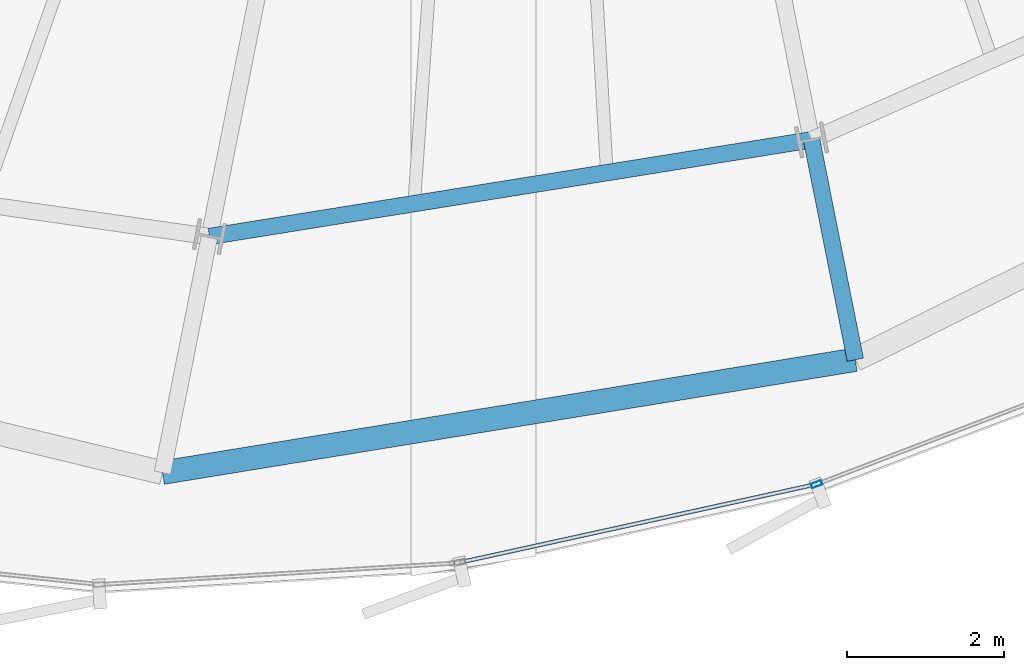
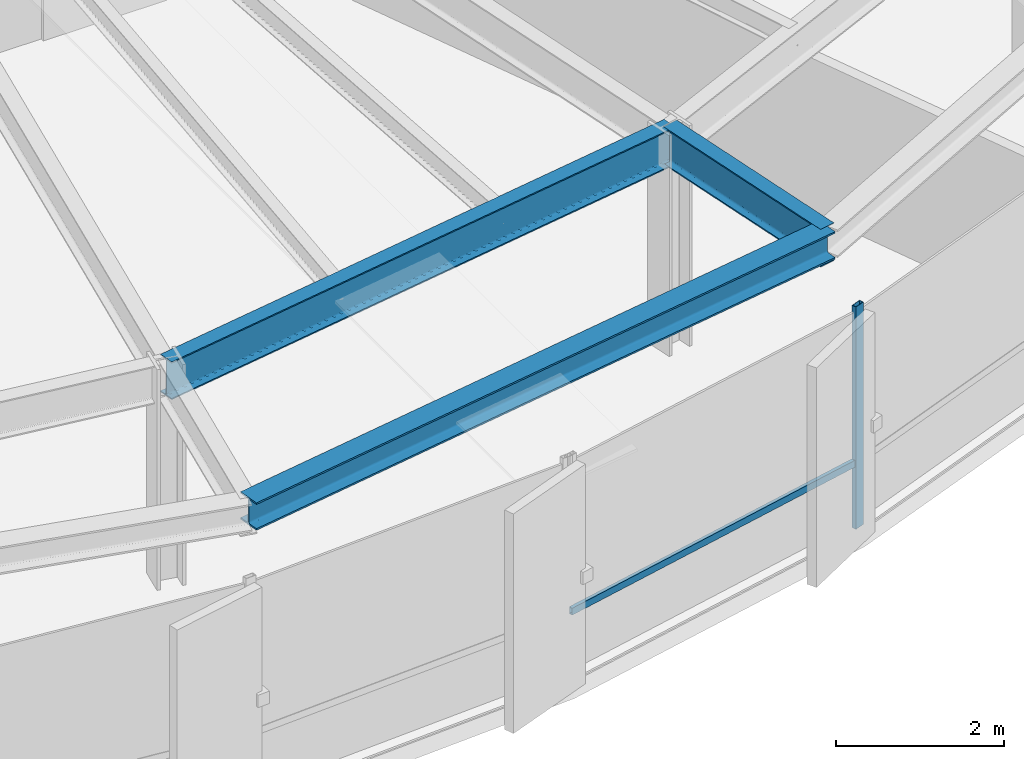
# One storey, part 7 of 35: 3 beams, 2 members, 1 element without a shape of its own.
"""IFC4 building model written with IfcOpenShell, lengths in metres."""

from ifc_helpers import new_model, si_unit, direction, frame, origin, origin_2d, place, context, subcontext, project, spatial, hollow_rectangle, i_section, extrude, source, transform, mapped, material, layer, layer_set, material_profile, profile_set, type_object, element, aggregate, save


model = new_model("IFC4")

# Units and contexts
model_context = context("Model", 3, precision=1e-05, world=origin(), true_north=direction((0.0, 1.0)))
body_context = subcontext(model_context, "Body", "Model", "MODEL_VIEW")
ifc_project = project(units=[si_unit("LENGTHUNIT", "METRE"), si_unit("AREAUNIT", "SQUARE_METRE"), si_unit("VOLUMEUNIT", "CUBIC_METRE"), si_unit("PLANEANGLEUNIT", "RADIAN"), si_unit("MASSUNIT", "GRAM", prefix="KILO"), si_unit("THERMODYNAMICTEMPERATUREUNIT", "KELVIN")], contexts=[model_context])

# Site, building, storey
site_placement = place(None, origin())
site = spatial("IfcSite", under=ifc_project, at=site_placement, CompositionType="ELEMENT")
building_placement = place(site_placement, origin())
building = spatial("IfcBuilding", under=site, at=building_placement, Name="Kethvar Cultural Tower", CompositionType="ELEMENT")
storey_placement = place(building_placement, frame((0.0, 0.0, 167.85009765625)))
storey = spatial("IfcBuildingStorey", under=building, at=storey_placement, Name="L43", CompositionType="ELEMENT", Elevation=167.85009765625)

# Beams
ifc_material_1 = material(Name="Steel S355J2", Category="steel")
ifc_material_profile_1 = material_profile(ifc_material_1, i_section(OverallWidth=0.2099609375, OverallDepth=0.550048828125, WebThickness=0.010986328125, FlangeThickness=0.01708984375, FilletRadius=0.02392578125, at=origin_2d()), Name="Steel S355J2 — IPE550")
ifc_profile_set_1 = profile_set([ifc_material_profile_1], Name="Steel S355J2 — IPE550")
beam_type_1 = type_object("IfcBeamType", Name="BM-IPE550", PredefinedType="BEAM", material=ifc_profile_set_1)
shared_shape_1 = source(origin(), body_context, "Body", "SweptSolid", [
    extrude(i_section(OverallWidth=0.2099609375, OverallDepth=0.550048828125, WebThickness=0.010986328125, FlangeThickness=0.01708984375, FilletRadius=0.02392578125, at=origin_2d()), origin(), (0.0, 0.0, 1.0), 7.749267578125),
])
beam_1_placement = place(storey_placement, frame((42.852294921875, 7.95361328125, 2.962890625), z_axis=(0.987348257569, 0.158566762831, 0.0), x_axis=(-0.158566762831, 0.987348257569, 0.0)))
element("IfcBeam", 1, at=beam_1_placement, inside=storey, type_object=beam_type_1, Name="L43 Column Ring Tie Beam CR-12", PredefinedType="BEAM", context=body_context, shape_type="MappedRepresentation", body=[
    mapped(shared_shape_1, transform((0.0, 0.0, 0.0), scale=1.0)),
])
shared_shape_2 = source(origin(), body_context, "Body", "SweptSolid", [
    extrude(i_section(OverallWidth=0.2099609375, OverallDepth=0.550048828125, WebThickness=0.010986328125, FlangeThickness=0.01708984375, FilletRadius=0.02392578125, at=origin_2d()), origin(), (0.0, 0.0, 1.0), 2.849365234375),
])
beam_2_placement = place(storey_placement, frame((50.50341796875, 9.182373046875, 2.962890625), z_axis=(0.195012032362, -0.980800849935, 0.0), x_axis=(0.980800849935, 0.195012032362, 0.0)))
element("IfcBeam", 2, at=beam_2_placement, inside=storey, type_object=beam_type_1, Name="L43 Perimeter Cantilever Beam RC-13", PredefinedType="BEAM", context=body_context, shape_type="MappedRepresentation", body=[
    mapped(shared_shape_2, transform((0.0, 0.0, 0.0), scale=1.0)),
])
ifc_material_profile_2 = material_profile(ifc_material_1, i_section(OverallWidth=0.300048828125, OverallDepth=0.39990234375, WebThickness=0.013427734375, FlangeThickness=0.02392578125, FilletRadius=0.027099609375, at=origin_2d()), Name="Steel S355J2 — HEB400")
ifc_profile_set_2 = profile_set([ifc_material_profile_2], Name="Steel S355J2 — HEB400")
beam_type_2 = type_object("IfcBeamType", Name="BM-SP400", PredefinedType="SPANDREL", material=ifc_profile_set_2)
shared_shape_3 = source(origin(), body_context, "Body", "SweptSolid", [
    extrude(i_section(OverallWidth=0.300048828125, OverallDepth=0.39990234375, WebThickness=0.013427734375, FlangeThickness=0.02392578125, FilletRadius=0.027099609375, at=origin_2d()), origin(), (0.0, 0.0, 1.0), 8.919921875),
])
beam_3_placement = place(storey_placement, frame((42.25537109375, 4.952880859375, 3.037841796875), z_axis=(0.986977878528, 0.160856045261, 0.0), x_axis=(-0.160856045261, 0.986977878528, 0.0)))
element("IfcBeam", 3, at=beam_3_placement, inside=storey, type_object=beam_type_2, Name="L43 Perimeter Spandrel Beam SP-12", PredefinedType="SPANDREL", context=body_context, shape_type="MappedRepresentation", body=[
    mapped(shared_shape_3, transform((0.0, 0.0, 0.0), scale=1.0)),
])

# Curtain wall, members
ifc_material_2 = material(Name="Aluminium 6063-T6", Category="aluminium")
ifc_layer = layer(ifc_material_2, 0.179931640625, Name="Aluminium 6063-T6", Category="aluminium")
ifc_layer_set = layer_set([ifc_layer], Name="Aluminium 6063-T6 (180 mm)")
curtain_wall_type = type_object("IfcCurtainWallType", Name="CW-SYS-04-Z34", PredefinedType="NOTDEFINED", material=ifc_layer_set)
curtain_wall_placement = place(storey_placement, origin())
curtain_wall = element("IfcCurtainWall", 4, at=curtain_wall_placement, inside=storey, type_object=curtain_wall_type, Name="L43 Curtain Wall Run 05", PredefinedType="NOTDEFINED")
ifc_material_profile_3 = material_profile(ifc_material_2, hollow_rectangle(XDim=0.06005859375, YDim=0.139892578125, WallThickness=0.0048828125, at=origin_2d()), Name="Aluminium 6063-T6 — RHS140x60x5")
ifc_profile_set_3 = profile_set([ifc_material_profile_3], Name="Aluminium 6063-T6 — RHS140x60x5")
member_type_1 = type_object("IfcMemberType", Name="CW-SYS-04-Z34-MUL", PredefinedType="MULLION", material=ifc_profile_set_3)
shared_shape_4 = source(origin(), body_context, "Body", "SweptSolid", [
    extrude(hollow_rectangle(XDim=0.06005859375, YDim=0.139892578125, WallThickness=0.0048828125, at=origin_2d()), origin(), (0.0, 0.0, 1.0), 3.239990234375),
])
member_1_placement = place(storey_placement, frame((50.567626953125, 4.805908203125, 0.0), z_axis=(0.0, 0.0, 1.0), x_axis=(-0.356917347128, 0.934135968325, 0.0)))
member_1 = element("IfcMember", 5, at=member_1_placement, type_object=member_type_1, Name="CW-L43-R05 Mullion 2", PredefinedType="MULLION", context=body_context, shape_type="MappedRepresentation", body=[
    mapped(shared_shape_4, transform((0.0, 0.0, 0.0), scale=1.0)),
])
ifc_material_profile_4 = material_profile(ifc_material_2, hollow_rectangle(XDim=0.050048828125, YDim=0.10009765625, WallThickness=0.00390625, at=origin_2d()), Name="Aluminium 6063-T6 — RHS100x50x4")
ifc_profile_set_4 = profile_set([ifc_material_profile_4], Name="Aluminium 6063-T6 — RHS100x50x4")
member_type_2 = type_object("IfcMemberType", Name="CW-SYS-04-Z34-TRN", PredefinedType="USERDEFINED", material=ifc_profile_set_4)
shared_shape_5 = source(origin(), body_context, "Body", "SweptSolid", [
    extrude(hollow_rectangle(XDim=0.050048828125, YDim=0.10009765625, WallThickness=0.00390625, at=origin_2d()), origin(), (0.0, 0.0, 1.0), 4.61083984375),
])
member_2_placement = place(storey_placement, frame((46.037353515625, 3.8125, 0.949951171875), z_axis=(0.97673704043, 0.214440560185, 0.0), x_axis=(-0.214440560185, 0.97673704043, 0.0)))
member_2 = element("IfcMember", 6, at=member_2_placement, type_object=member_type_2, Name="CW-L43-R05 Transom 1", ObjectType="TRANSOM", PredefinedType="USERDEFINED", context=body_context, shape_type="MappedRepresentation", body=[
    mapped(shared_shape_5, transform((0.0, 0.0, 0.0), scale=1.0)),
])
aggregate(curtain_wall, [member_1, member_2])

save(model, "model.ifc")
